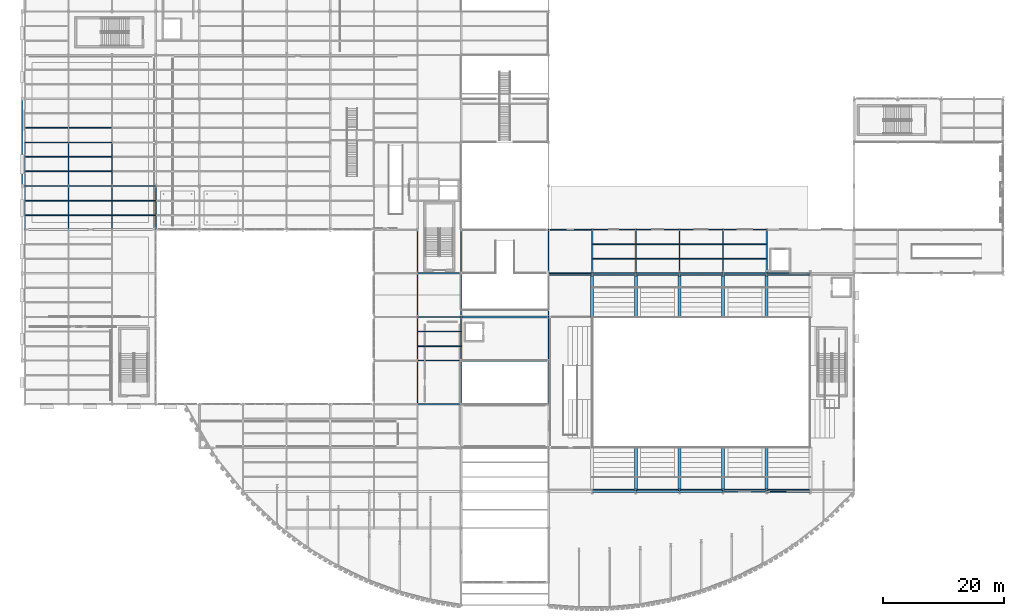
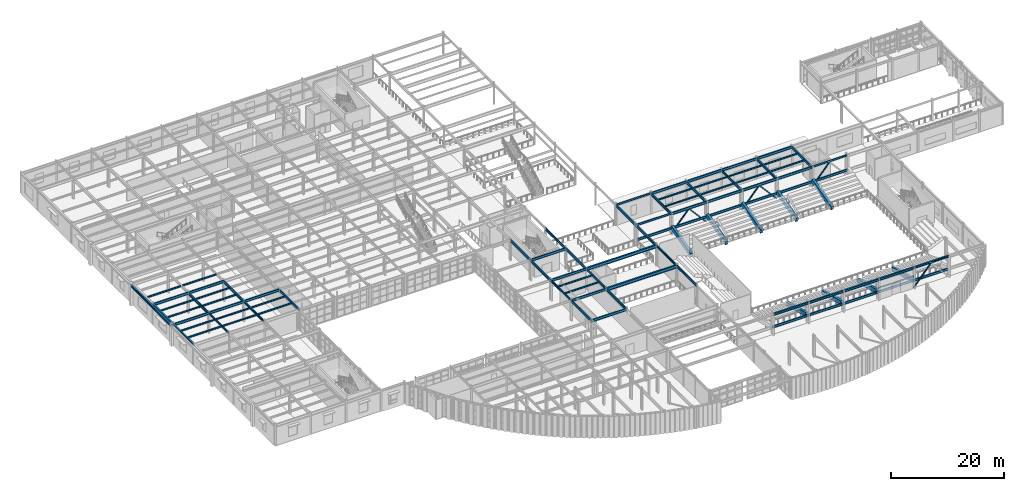
# One storey, part 50 of 121: 95 beams, 6 members.
"""IFC4 building model written with IfcOpenShell, lengths in metres."""

from ifc_helpers import new_model, si_unit, direction, frame, origin, origin_2d, place, context, subcontext, project, spatial, rectangle, hollow_rectangle, i_section, extrude, material, material_profile, profile_set, type_object, element, save


model = new_model("IFC4")

# Units and contexts
model_context = context("Model", 3, precision=1e-05, world=origin(), true_north=direction((0.0, 1.0)))
body_context = subcontext(model_context, "Body", "Model", "MODEL_VIEW")
ifc_project = project(units=[si_unit("LENGTHUNIT", "METRE"), si_unit("AREAUNIT", "SQUARE_METRE"), si_unit("VOLUMEUNIT", "CUBIC_METRE"), si_unit("PLANEANGLEUNIT", "RADIAN"), si_unit("MASSUNIT", "GRAM", prefix="KILO")], contexts=[model_context])

# Site, building, storey
site_placement = place(None, origin())
site = spatial("IfcSite", under=ifc_project, at=site_placement, CompositionType="ELEMENT")
building_placement = place(site_placement, origin())
building = spatial("IfcBuilding", under=site, at=building_placement, Name="Solvadek Multi-Sports Hall", CompositionType="ELEMENT")
storey_placement = place(building_placement, frame((0.0, 0.0, 4.800048828125)))
storey = spatial("IfcBuildingStorey", under=building, at=storey_placement, Name="L01", CompositionType="ELEMENT", Elevation=4.800048828125)

# Beams
ifc_material_1 = material(Name="Steel E350 (350 MPa)", Category="steel")
ifc_material_profile_1 = material_profile(ifc_material_1, i_section(OverallWidth=0.139892578125, OverallDepth=0.39990234375, WebThickness=0.0087890625, FlangeThickness=0.01611328125, at=origin_2d()), Name="ISMB 400")
ifc_profile_set_1 = profile_set([ifc_material_profile_1], Name="Steel E350 (350 MPa)")
beam_type_1 = type_object("IfcBeamType", Name="STR-BM-ISMB400", PredefinedType="BEAM", material=ifc_profile_set_1)
for number, where, z_axis, x_axis, name in (
    (1, (86.39990234375, 42.0, 4.35986328125), (1.0, 0.0, 0.0), (0.0, 1.0, 0.0), "L01 Girder B-10 #994"),
    (2, (122.39990234375, 42.0, 4.35986328125), (1.0, 0.0, 0.0), (0.0, 1.0, 0.0), "L01 Girder B-10 #999"),
    (3, (86.39990234375, 49.199951171875, 4.35986328125), (1.0, 0.0, 0.0), (0.0, 1.0, 0.0), "L01 Girder B-10 #1014"),
):
    element("IfcBeam", number, at=place(storey_placement, frame(where, z_axis=z_axis, x_axis=x_axis)), inside=storey, type_object=beam_type_1, Name=name, PredefinedType="BEAM", context=body_context, shape_type="SweptSolid", body=[
        extrude(i_section(OverallWidth=0.139892578125, OverallDepth=0.39990234375, WebThickness=0.0087890625, FlangeThickness=0.01611328125, at=origin_2d()), origin(), (0.0, 0.0, 1.0), 7.2001953125),
    ])
ifc_material_profile_2 = material_profile(ifc_material_1, i_section(OverallWidth=0.179931640625, OverallDepth=0.5, WebThickness=0.01025390625, FlangeThickness=0.01708984375, at=origin_2d()), Name="ISMB 500")
ifc_profile_set_2 = profile_set([ifc_material_profile_2], Name="Steel E350 (350 MPa)")
beam_type_2 = type_object("IfcBeamType", Name="STR-BM-ISMB500", PredefinedType="BEAM", material=ifc_profile_set_2)
beam_1_placement = place(storey_placement, frame((86.39990234375, 41.699951171875, 1.3798828125), z_axis=(1.0, 0.0, 0.0), x_axis=(0.0, 1.0, 0.0)))
element("IfcBeam", 4, at=beam_1_placement, inside=storey, type_object=beam_type_2, Name="L01 N Stand Raker Header Girder #1", PredefinedType="BEAM", context=body_context, shape_type="SweptSolid", body=[
    extrude(i_section(OverallWidth=0.179931640625, OverallDepth=0.5, WebThickness=0.01025390625, FlangeThickness=0.01708984375, at=origin_2d()), origin(), (0.0, 0.0, 1.0), 7.2001953125),
])
for number, where, z_axis, x_axis, name in (
    (5, (93.60009765625, 6.300048828125, 1.3798828125), (1.0, 0.0, 0.0), (0.0, 1.0, 0.0), "L01 S Stand Raker Header Girder #2"),
    (6, (93.60009765625, 41.699951171875, 1.3798828125), (1.0, 0.0, 0.0), (0.0, 1.0, 0.0), "L01 N Stand Raker Header Girder #2"),
    (7, (100.800048828125, 6.300048828125, 1.3798828125), (1.0, 0.0, 0.0), (0.0, 1.0, 0.0), "L01 S Stand Raker Header Girder #3"),
    (8, (100.800048828125, 41.699951171875, 1.3798828125), (1.0, 0.0, 0.0), (0.0, 1.0, 0.0), "L01 N Stand Raker Header Girder #3"),
    (9, (108.0, 6.300048828125, 1.3798828125), (1.0, 0.0, 0.0), (0.0, 1.0, 0.0), "L01 S Stand Raker Header Girder #4"),
    (10, (108.0, 41.699951171875, 1.3798828125), (1.0, 0.0, 0.0), (0.0, 1.0, 0.0), "L01 N Stand Raker Header Girder #4"),
    (11, (115.199951171875, 6.300048828125, 1.3798828125), (1.0, 0.0, 0.0), (0.0, 1.0, 0.0), "L01 S Stand Raker Header Girder #5"),
    (12, (115.199951171875, 41.699951171875, 1.3798828125), (1.0, 0.0, 0.0), (0.0, 1.0, 0.0), "L01 N Stand Raker Header Girder #5"),
):
    element("IfcBeam", number, at=place(storey_placement, frame(where, z_axis=z_axis, x_axis=x_axis)), inside=storey, type_object=beam_type_2, Name=name, PredefinedType="BEAM", context=body_context, shape_type="SweptSolid", body=[
        extrude(i_section(OverallWidth=0.179931640625, OverallDepth=0.5, WebThickness=0.01025390625, FlangeThickness=0.01708984375, at=origin_2d()), origin(), (0.0, 0.0, 1.0), 7.199951171875),
    ])
for number, where, z_axis, x_axis, name in (
    (13, (122.39990234375, 6.300048828125, 1.3798828125), (1.0, 0.0, 0.0), (0.0, 1.0, 0.0), "L01 S Stand Raker Header Girder #6"),
    (14, (122.39990234375, 41.699951171875, 1.3798828125), (1.0, 0.0, 0.0), (0.0, 1.0, 0.0), "L01 N Stand Raker Header Girder #6"),
):
    element("IfcBeam", number, at=place(storey_placement, frame(where, z_axis=z_axis, x_axis=x_axis)), inside=storey, type_object=beam_type_2, Name=name, PredefinedType="BEAM", context=body_context, shape_type="SweptSolid", body=[
        extrude(i_section(OverallWidth=0.179931640625, OverallDepth=0.5, WebThickness=0.01025390625, FlangeThickness=0.01708984375, at=origin_2d()), origin(), (0.0, 0.0, 1.0), 7.2001953125),
    ])
ifc_material_profile_3 = material_profile(ifc_material_1, i_section(OverallWidth=0.18994140625, OverallDepth=0.550048828125, WebThickness=0.01123046875, FlangeThickness=0.019287109375, at=origin_2d()), Name="ISMB 550")
ifc_profile_set_3 = profile_set([ifc_material_profile_3], Name="Steel E350 (350 MPa)")
beam_type_3 = type_object("IfcBeamType", Name="STR-BM-ISMB550", PredefinedType="BEAM", material=ifc_profile_set_3)
for number, where, z_axis, x_axis, name in (
    (15, (64.800048828125, 20.39990234375, 4.284912109375), (1.0, 0.0, 0.0), (0.0, 1.0, 0.0), "L01 Girder B-06 #977"),
    (16, (64.800048828125, 27.60009765625, 4.284912109375), (1.0, 0.0, 0.0), (0.0, 1.0, 0.0), "L01 Girder B-06 #981"),
    (17, (64.800048828125, 34.800048828125, 4.284912109375), (1.0, 0.0, 0.0), (0.0, 1.0, 0.0), "L01 Girder B-06 #987"),
    (18, (64.800048828125, 42.0, 4.284912109375), (1.0, 0.0, 0.0), (0.0, 1.0, 0.0), "L01 Girder B-06 #993"),
    (19, (93.60009765625, 42.0, 4.284912109375), (1.0, 0.0, 0.0), (0.0, 1.0, 0.0), "L01 Girder B-06 #995"),
    (20, (100.800048828125, 42.0, 4.284912109375), (1.0, 0.0, 0.0), (0.0, 1.0, 0.0), "L01 Girder B-06 #996"),
    (21, (108.0, 42.0, 4.284912109375), (1.0, 0.0, 0.0), (0.0, 1.0, 0.0), "L01 Girder B-06 #997"),
    (22, (115.199951171875, 42.0, 4.284912109375), (1.0, 0.0, 0.0), (0.0, 1.0, 0.0), "L01 Girder B-06 #998"),
    (23, (93.60009765625, 49.199951171875, 4.284912109375), (1.0, 0.0, 0.0), (0.0, 1.0, 0.0), "L01 Girder B-06 #1015"),
    (24, (100.800048828125, 49.199951171875, 4.284912109375), (1.0, 0.0, 0.0), (0.0, 1.0, 0.0), "L01 Girder B-06 #1016"),
    (25, (108.0, 49.199951171875, 4.284912109375), (1.0, 0.0, 0.0), (0.0, 1.0, 0.0), "L01 Girder B-06 #1017"),
    (26, (115.199951171875, 49.199951171875, 4.284912109375), (1.0, 0.0, 0.0), (0.0, 1.0, 0.0), "L01 Girder B-06 #1018"),
    (27, (0.0, 56.39990234375, 4.284912109375), (1.0, 0.0, 0.0), (0.0, 1.0, 0.0), "L01 Girder B-06 #1024"),
    (28, (7.199951171875, 56.39990234375, 4.284912109375), (1.0, 0.0, 0.0), (0.0, 1.0, 0.0), "L01 Girder B-06 #1025"),
):
    element("IfcBeam", number, at=place(storey_placement, frame(where, z_axis=z_axis, x_axis=x_axis)), inside=storey, type_object=beam_type_3, Name=name, PredefinedType="BEAM", context=body_context, shape_type="SweptSolid", body=[
        extrude(i_section(OverallWidth=0.18994140625, OverallDepth=0.550048828125, WebThickness=0.01123046875, FlangeThickness=0.019287109375, at=origin_2d()), origin(), (0.0, 0.0, 1.0), 7.199951171875),
    ])
beam_2_placement = place(storey_placement, frame((14.39990234375, 56.39990234375, 4.284912109375), z_axis=(1.0, 0.0, 0.0), x_axis=(0.0, 1.0, 0.0)))
element("IfcBeam", 29, at=beam_2_placement, inside=storey, type_object=beam_type_3, Name="L01 Girder B-06 #1026", PredefinedType="BEAM", context=body_context, shape_type="SweptSolid", body=[
    extrude(i_section(OverallWidth=0.18994140625, OverallDepth=0.550048828125, WebThickness=0.01123046875, FlangeThickness=0.019287109375, at=origin_2d()), origin(), (0.0, 0.0, 1.0), 7.2001953125),
])
for number, where, z_axis, x_axis, name in (
    (30, (0.0, 63.60009765625, 4.284912109375), (1.0, 0.0, 0.0), (0.0, 1.0, 0.0), "L01 Girder B-06 #1033"),
    (31, (7.199951171875, 63.60009765625, 4.284912109375), (1.0, 0.0, 0.0), (0.0, 1.0, 0.0), "L01 Girder B-06 #1034"),
):
    element("IfcBeam", number, at=place(storey_placement, frame(where, z_axis=z_axis, x_axis=x_axis)), inside=storey, type_object=beam_type_3, Name=name, PredefinedType="BEAM", context=body_context, shape_type="SweptSolid", body=[
        extrude(i_section(OverallWidth=0.18994140625, OverallDepth=0.550048828125, WebThickness=0.01123046875, FlangeThickness=0.019287109375, at=origin_2d()), origin(), (0.0, 0.0, 1.0), 7.199951171875),
    ])
ifc_material_profile_4 = material_profile(ifc_material_1, i_section(OverallWidth=0.18994140625, OverallDepth=0.449951171875, WebThickness=0.009521484375, FlangeThickness=0.0146484375, at=origin_2d()), Name="NPB 450")
ifc_profile_set_4 = profile_set([ifc_material_profile_4], Name="Steel E350 (350 MPa)")
beam_type_4 = type_object("IfcBeamType", Name="STR-BM-NPB450", PredefinedType="BEAM", material=ifc_profile_set_4)
for number, where, z_axis, x_axis, name in (
    (32, (7.199951171875, 49.199951171875, 4.3349609375), (0.0, 1.0, 0.0), (-1.0, 0.0, 0.0), "L01 Girder B-08 #1132"),
    (33, (14.39990234375, 49.199951171875, 4.3349609375), (0.0, 1.0, 0.0), (-1.0, 0.0, 0.0), "L01 Girder B-08 #1144"),
    (34, (21.60009765625, 49.199951171875, 4.3349609375), (0.0, 1.0, 0.0), (-1.0, 0.0, 0.0), "L01 Girder B-08 #1155"),
    (35, (64.800048828125, 27.60009765625, 4.3349609375), (0.0, 1.0, 0.0), (-1.0, 0.0, 0.0), "L01 Girder B-08 #1231"),
    (36, (72.0, 27.60009765625, 4.3349609375), (0.0, 1.0, 0.0), (-1.0, 0.0, 0.0), "L01 Girder B-08 #1251"),
    (37, (86.39990234375, 27.60009765625, 4.3349609375), (0.0, 1.0, 0.0), (-1.0, 0.0, 0.0), "L01 Girder B-08 #1269"),
):
    element("IfcBeam", number, at=place(storey_placement, frame(where, z_axis=z_axis, x_axis=x_axis)), inside=storey, type_object=beam_type_4, Name=name, PredefinedType="BEAM", context=body_context, shape_type="SweptSolid", body=[
        extrude(i_section(OverallWidth=0.18994140625, OverallDepth=0.449951171875, WebThickness=0.009521484375, FlangeThickness=0.0146484375, at=origin_2d()), origin(), (0.0, 0.0, 1.0), 7.199951171875),
    ])
ifc_material_profile_5 = material_profile(ifc_material_1, i_section(OverallWidth=0.2099609375, OverallDepth=0.550048828125, WebThickness=0.010986328125, FlangeThickness=0.01708984375, at=origin_2d()), Name="NPB 550")
ifc_profile_set_5 = profile_set([ifc_material_profile_5], Name="Steel E350 (350 MPa)")
beam_type_5 = type_object("IfcBeamType", Name="STR-BM-NPB550", PredefinedType="BEAM", material=ifc_profile_set_5)
for number, where, z_axis, x_axis, name in (
    (38, (7.199951171875, 56.39990234375, 4.284912109375), (0.0, 1.0, 0.0), (-1.0, 0.0, 0.0), "L01 Girder B-05 #1133"),
    (39, (14.39990234375, 56.39990234375, 4.284912109375), (0.0, 1.0, 0.0), (-1.0, 0.0, 0.0), "L01 Girder B-05 #1145"),
    (40, (64.800048828125, 20.39990234375, 4.284912109375), (0.0, 1.0, 0.0), (-1.0, 0.0, 0.0), "L01 Girder B-05 #1230"),
):
    element("IfcBeam", number, at=place(storey_placement, frame(where, z_axis=z_axis, x_axis=x_axis)), inside=storey, type_object=beam_type_5, Name=name, PredefinedType="BEAM", context=body_context, shape_type="SweptSolid", body=[
        extrude(i_section(OverallWidth=0.2099609375, OverallDepth=0.550048828125, WebThickness=0.010986328125, FlangeThickness=0.01708984375, at=origin_2d()), origin(), (0.0, 0.0, 1.0), 7.2001953125),
    ])
for number, where, z_axis, x_axis, name in (
    (41, (64.800048828125, 34.800048828125, 4.284912109375), (0.0, 1.0, 0.0), (-1.0, 0.0, 0.0), "L01 Girder B-05 #1232"),
    (42, (64.800048828125, 42.0, 4.284912109375), (0.0, 1.0, 0.0), (-1.0, 0.0, 0.0), "L01 Girder B-05 #1233"),
):
    element("IfcBeam", number, at=place(storey_placement, frame(where, z_axis=z_axis, x_axis=x_axis)), inside=storey, type_object=beam_type_5, Name=name, PredefinedType="BEAM", context=body_context, shape_type="SweptSolid", body=[
        extrude(i_section(OverallWidth=0.2099609375, OverallDepth=0.550048828125, WebThickness=0.010986328125, FlangeThickness=0.01708984375, at=origin_2d()), origin(), (0.0, 0.0, 1.0), 7.199951171875),
    ])
beam_3_placement = place(storey_placement, frame((72.0, 20.39990234375, 4.284912109375), z_axis=(0.0, 1.0, 0.0), x_axis=(-1.0, 0.0, 0.0)))
element("IfcBeam", 43, at=beam_3_placement, inside=storey, type_object=beam_type_5, Name="L01 Girder B-05 #1250", PredefinedType="BEAM", context=body_context, shape_type="SweptSolid", body=[
    extrude(i_section(OverallWidth=0.2099609375, OverallDepth=0.550048828125, WebThickness=0.010986328125, FlangeThickness=0.01708984375, at=origin_2d()), origin(), (0.0, 0.0, 1.0), 7.2001953125),
])
for number, where, z_axis, x_axis, name in (
    (44, (72.0, 34.800048828125, 4.284912109375), (0.0, 1.0, 0.0), (-1.0, 0.0, 0.0), "L01 Girder B-05 #1252"),
    (45, (72.0, 42.0, 4.284912109375), (0.0, 1.0, 0.0), (-1.0, 0.0, 0.0), "L01 Girder B-05 #1253"),
):
    element("IfcBeam", number, at=place(storey_placement, frame(where, z_axis=z_axis, x_axis=x_axis)), inside=storey, type_object=beam_type_5, Name=name, PredefinedType="BEAM", context=body_context, shape_type="SweptSolid", body=[
        extrude(i_section(OverallWidth=0.2099609375, OverallDepth=0.550048828125, WebThickness=0.010986328125, FlangeThickness=0.01708984375, at=origin_2d()), origin(), (0.0, 0.0, 1.0), 7.199951171875),
    ])
beam_4_placement = place(storey_placement, frame((86.39990234375, 20.39990234375, 4.284912109375), z_axis=(0.0, 1.0, 0.0), x_axis=(-1.0, 0.0, 0.0)))
element("IfcBeam", 46, at=beam_4_placement, inside=storey, type_object=beam_type_5, Name="L01 Girder B-05 #1268", PredefinedType="BEAM", context=body_context, shape_type="SweptSolid", body=[
    extrude(i_section(OverallWidth=0.2099609375, OverallDepth=0.550048828125, WebThickness=0.010986328125, FlangeThickness=0.01708984375, at=origin_2d()), origin(), (0.0, 0.0, 1.0), 7.2001953125),
])
for number, where, z_axis, x_axis, name in (
    (47, (86.39990234375, 34.800048828125, 4.284912109375), (0.0, 1.0, 0.0), (-1.0, 0.0, 0.0), "L01 Girder B-05 #1270"),
    (48, (86.39990234375, 42.0, 4.284912109375), (0.0, 1.0, 0.0), (-1.0, 0.0, 0.0), "L01 Girder B-05 #1271"),
    (49, (93.60009765625, 42.0, 4.284912109375), (0.0, 1.0, 0.0), (-1.0, 0.0, 0.0), "L01 Girder B-05 #1281"),
    (50, (100.800048828125, 42.0, 4.284912109375), (0.0, 1.0, 0.0), (-1.0, 0.0, 0.0), "L01 Girder B-05 #1283"),
    (51, (108.0, 42.0, 4.284912109375), (0.0, 1.0, 0.0), (-1.0, 0.0, 0.0), "L01 Girder B-05 #1286"),
    (52, (115.199951171875, 42.0, 4.284912109375), (0.0, 1.0, 0.0), (-1.0, 0.0, 0.0), "L01 Girder B-05 #1288"),
    (53, (122.39990234375, 42.0, 4.284912109375), (0.0, 1.0, 0.0), (-1.0, 0.0, 0.0), "L01 Girder B-05 #1291"),
):
    element("IfcBeam", number, at=place(storey_placement, frame(where, z_axis=z_axis, x_axis=x_axis)), inside=storey, type_object=beam_type_5, Name=name, PredefinedType="BEAM", context=body_context, shape_type="SweptSolid", body=[
        extrude(i_section(OverallWidth=0.2099609375, OverallDepth=0.550048828125, WebThickness=0.010986328125, FlangeThickness=0.01708984375, at=origin_2d()), origin(), (0.0, 0.0, 1.0), 7.199951171875),
    ])
ifc_material_profile_6 = material_profile(ifc_material_1, i_section(OverallWidth=0.300048828125, OverallDepth=0.699951171875, WebThickness=0.01708984375, FlangeThickness=0.031982421875, at=origin_2d()), Name="WPB 700")
ifc_profile_set_6 = profile_set([ifc_material_profile_6], Name="Steel E350 (350 MPa)")
beam_type_6 = type_object("IfcBeamType", Name="STR-BM-WPB700", PredefinedType="BEAM", material=ifc_profile_set_6)
for number, where, z_axis, x_axis, name in (
    (54, (72.0, 27.60009765625, 4.2099609375), (1.0, 0.0, 0.0), (0.0, 1.0, 0.0), "L01 Girder B-01 #982"),
    (55, (72.0, 34.800048828125, 4.2099609375), (1.0, 0.0, 0.0), (0.0, 1.0, 0.0), "L01 Girder B-01 #988"),
):
    element("IfcBeam", number, at=place(storey_placement, frame(where, z_axis=z_axis, x_axis=x_axis)), inside=storey, type_object=beam_type_6, Name=name, PredefinedType="BEAM", context=body_context, shape_type="SweptSolid", body=[
        extrude(i_section(OverallWidth=0.300048828125, OverallDepth=0.699951171875, WebThickness=0.01708984375, FlangeThickness=0.031982421875, at=origin_2d()), origin(), (0.0, 0.0, 1.0), 14.39990234375),
    ])

# Members
ifc_material_profile_7 = material_profile(ifc_material_1, hollow_rectangle(XDim=0.199951171875, YDim=0.199951171875, WallThickness=0.010009765625, at=origin_2d()), Name="SHS 200x200x10")
ifc_profile_set_7 = profile_set([ifc_material_profile_7], Name="Steel E350 (350 MPa)")
member_type = type_object("IfcMemberType", Name="STR-BRC-SHS200", PredefinedType="BRACE", material=ifc_profile_set_7)
member_1_placement = place(storey_placement, frame((108.0, 42.0, 0.0), z_axis=(0.655295898412, 0.0, 0.755372282735), x_axis=(0.0, 1.0, 0.0)))
element("IfcMember", 56, at=member_1_placement, inside=storey, type_object=member_type, Name="L01 Concentric Chevron Brace #27", PredefinedType="BRACE", context=body_context, shape_type="SweptSolid", body=[
    extrude(hollow_rectangle(XDim=0.199951171875, YDim=0.199951171875, WallThickness=0.010009765625, at=origin_2d()), origin(), (0.0, 0.0, 1.0), 5.493896484375),
])
member_2_placement = place(storey_placement, frame((115.199951171875, 42.0, 0.0), z_axis=(-0.655270541038, 0.0, 0.755394279862), x_axis=(0.0, -1.0, 0.0)))
element("IfcMember", 57, at=member_2_placement, inside=storey, type_object=member_type, Name="L01 Concentric Chevron Brace #28", PredefinedType="BRACE", context=body_context, shape_type="SweptSolid", body=[
    extrude(hollow_rectangle(XDim=0.199951171875, YDim=0.199951171875, WallThickness=0.010009765625, at=origin_2d()), origin(), (0.0, 0.0, 1.0), 5.49365234375),
])
member_3_placement = place(storey_placement, frame((122.39990234375, 6.0, 0.0), z_axis=(0.655295898412, 0.0, 0.755372282735), x_axis=(0.0, 1.0, 0.0)))
element("IfcMember", 58, at=member_3_placement, inside=storey, type_object=member_type, Name="L01 Concentric Chevron Brace #29", PredefinedType="BRACE", context=body_context, shape_type="SweptSolid", body=[
    extrude(hollow_rectangle(XDim=0.199951171875, YDim=0.199951171875, WallThickness=0.010009765625, at=origin_2d()), origin(), (0.0, 0.0, 1.0), 5.493896484375),
])
member_4_placement = place(storey_placement, frame((93.60009765625, 42.0, 0.0), z_axis=(0.655270541038, 0.0, 0.755394279862), x_axis=(0.0, 1.0, 0.0)))
element("IfcMember", 59, at=member_4_placement, inside=storey, type_object=member_type, Name="L01 Concentric Chevron Brace #31", PredefinedType="BRACE", context=body_context, shape_type="SweptSolid", body=[
    extrude(hollow_rectangle(XDim=0.199951171875, YDim=0.199951171875, WallThickness=0.010009765625, at=origin_2d()), origin(), (0.0, 0.0, 1.0), 5.49365234375),
])
for number, where, z_axis, x_axis, name in (
    (60, (100.800048828125, 42.0, 0.0), (-0.655295898412, 0.0, 0.755372282735), (0.0, -1.0, 0.0), "L01 Concentric Chevron Brace #32"),
    (61, (122.39990234375, 42.0, 0.0), (0.655295898412, 0.0, 0.755372282735), (0.0, 1.0, 0.0), "L01 Concentric Chevron Brace #33"),
):
    element("IfcMember", number, at=place(storey_placement, frame(where, z_axis=z_axis, x_axis=x_axis)), inside=storey, type_object=member_type, Name=name, PredefinedType="BRACE", context=body_context, shape_type="SweptSolid", body=[
        extrude(hollow_rectangle(XDim=0.199951171875, YDim=0.199951171875, WallThickness=0.010009765625, at=origin_2d()), origin(), (0.0, 0.0, 1.0), 5.493896484375),
    ])

# Beams
ifc_material_profile_8 = material_profile(ifc_material_1, i_section(OverallWidth=0.159912109375, OverallDepth=0.330078125, WebThickness=0.007568359375, FlangeThickness=0.011474609375, at=origin_2d()), Name="NPB 330")
ifc_profile_set_8 = profile_set([ifc_material_profile_8], Name="Steel E350 (350 MPa)")
beam_type_7 = type_object("IfcBeamType", Name="STR-JST-NPB330", PredefinedType="JOIST", material=ifc_profile_set_8)
for number, where, z_axis, x_axis, name in (
    (62, (64.89501953125, 30.0, 4.39501953125), (1.0, 0.0, 0.0), (0.0, 1.0, 0.0), "L01 Composite Joist J-02 #612"),
    (63, (64.89501953125, 32.39990234375, 4.39501953125), (1.0, 0.0, 0.0), (0.0, 1.0, 0.0), "L01 Composite Joist J-02 #613"),
):
    element("IfcBeam", number, at=place(storey_placement, frame(where, z_axis=z_axis, x_axis=x_axis)), inside=storey, type_object=beam_type_7, Name=name, PredefinedType="JOIST", context=body_context, shape_type="SweptSolid", body=[
        extrude(i_section(OverallWidth=0.159912109375, OverallDepth=0.330078125, WebThickness=0.007568359375, FlangeThickness=0.011474609375, at=origin_2d()), origin(), (0.0, 0.0, 1.0), 7.010009765625),
    ])
for number, where, z_axis, x_axis, name in (
    (64, (93.705078125, 44.39990234375, 4.39501953125), (1.0, 0.0, 0.0), (0.0, 1.0, 0.0), "L01 Composite Joist J-02 #622"),
    (65, (93.705078125, 46.800048828125, 4.39501953125), (1.0, 0.0, 0.0), (0.0, 1.0, 0.0), "L01 Composite Joist J-02 #623"),
    (66, (100.905029296875, 44.39990234375, 4.39501953125), (1.0, 0.0, 0.0), (0.0, 1.0, 0.0), "L01 Composite Joist J-02 #624"),
    (67, (100.905029296875, 46.800048828125, 4.39501953125), (1.0, 0.0, 0.0), (0.0, 1.0, 0.0), "L01 Composite Joist J-02 #625"),
    (68, (108.10498046875, 44.39990234375, 4.39501953125), (1.0, 0.0, 0.0), (0.0, 1.0, 0.0), "L01 Composite Joist J-02 #626"),
    (69, (108.10498046875, 46.800048828125, 4.39501953125), (1.0, 0.0, 0.0), (0.0, 1.0, 0.0), "L01 Composite Joist J-02 #627"),
    (70, (115.304931640625, 44.39990234375, 4.39501953125), (1.0, 0.0, 0.0), (0.0, 1.0, 0.0), "L01 Composite Joist J-02 #628"),
    (71, (115.304931640625, 46.800048828125, 4.39501953125), (1.0, 0.0, 0.0), (0.0, 1.0, 0.0), "L01 Composite Joist J-02 #629"),
):
    element("IfcBeam", number, at=place(storey_placement, frame(where, z_axis=z_axis, x_axis=x_axis)), inside=storey, type_object=beam_type_7, Name=name, PredefinedType="JOIST", context=body_context, shape_type="SweptSolid", body=[
        extrude(i_section(OverallWidth=0.159912109375, OverallDepth=0.330078125, WebThickness=0.007568359375, FlangeThickness=0.011474609375, at=origin_2d()), origin(), (0.0, 0.0, 1.0), 6.989990234375),
    ])
for number, where, z_axis, x_axis, name in (
    (72, (0.14990234375, 51.60009765625, 4.39501953125), (1.0, 0.0, 0.0), (0.0, 1.0, 0.0), "L01 Composite Joist J-02 #632"),
    (73, (0.14990234375, 54.0, 4.39501953125), (1.0, 0.0, 0.0), (0.0, 1.0, 0.0), "L01 Composite Joist J-02 #633"),
):
    element("IfcBeam", number, at=place(storey_placement, frame(where, z_axis=z_axis, x_axis=x_axis)), inside=storey, type_object=beam_type_7, Name=name, PredefinedType="JOIST", context=body_context, shape_type="SweptSolid", body=[
        extrude(i_section(OverallWidth=0.159912109375, OverallDepth=0.330078125, WebThickness=0.007568359375, FlangeThickness=0.011474609375, at=origin_2d()), origin(), (0.0, 0.0, 1.0), 6.955078125),
    ])
for number, where, z_axis, x_axis, name in (
    (74, (7.294921875, 51.60009765625, 4.39501953125), (1.0, 0.0, 0.0), (0.0, 1.0, 0.0), "L01 Composite Joist J-02 #634"),
    (75, (7.294921875, 54.0, 4.39501953125), (1.0, 0.0, 0.0), (0.0, 1.0, 0.0), "L01 Composite Joist J-02 #635"),
):
    element("IfcBeam", number, at=place(storey_placement, frame(where, z_axis=z_axis, x_axis=x_axis)), inside=storey, type_object=beam_type_7, Name=name, PredefinedType="JOIST", context=body_context, shape_type="SweptSolid", body=[
        extrude(i_section(OverallWidth=0.159912109375, OverallDepth=0.330078125, WebThickness=0.007568359375, FlangeThickness=0.011474609375, at=origin_2d()), origin(), (0.0, 0.0, 1.0), 7.010009765625),
    ])
for number, where, z_axis, x_axis, name in (
    (76, (14.4951171875, 51.60009765625, 4.39501953125), (1.0, 0.0, 0.0), (0.0, 1.0, 0.0), "L01 Composite Joist J-02 #636"),
    (77, (14.4951171875, 54.0, 4.39501953125), (1.0, 0.0, 0.0), (0.0, 1.0, 0.0), "L01 Composite Joist J-02 #637"),
):
    element("IfcBeam", number, at=place(storey_placement, frame(where, z_axis=z_axis, x_axis=x_axis)), inside=storey, type_object=beam_type_7, Name=name, PredefinedType="JOIST", context=body_context, shape_type="SweptSolid", body=[
        extrude(i_section(OverallWidth=0.159912109375, OverallDepth=0.330078125, WebThickness=0.007568359375, FlangeThickness=0.011474609375, at=origin_2d()), origin(), (0.0, 0.0, 1.0), 7.009765625),
    ])
for number, where, z_axis, x_axis, name in (
    (78, (0.14990234375, 58.800048828125, 4.39501953125), (1.0, 0.0, 0.0), (0.0, 1.0, 0.0), "L01 Composite Joist J-02 #648"),
    (79, (0.14990234375, 61.199951171875, 4.39501953125), (1.0, 0.0, 0.0), (0.0, 1.0, 0.0), "L01 Composite Joist J-02 #649"),
):
    element("IfcBeam", number, at=place(storey_placement, frame(where, z_axis=z_axis, x_axis=x_axis)), inside=storey, type_object=beam_type_7, Name=name, PredefinedType="JOIST", context=body_context, shape_type="SweptSolid", body=[
        extrude(i_section(OverallWidth=0.159912109375, OverallDepth=0.330078125, WebThickness=0.007568359375, FlangeThickness=0.011474609375, at=origin_2d()), origin(), (0.0, 0.0, 1.0), 6.945068359375),
    ])
for number, where, z_axis, x_axis, name in (
    (80, (7.304931640625, 58.800048828125, 4.39501953125), (1.0, 0.0, 0.0), (0.0, 1.0, 0.0), "L01 Composite Joist J-02 #650"),
    (81, (7.304931640625, 61.199951171875, 4.39501953125), (1.0, 0.0, 0.0), (0.0, 1.0, 0.0), "L01 Composite Joist J-02 #651"),
):
    element("IfcBeam", number, at=place(storey_placement, frame(where, z_axis=z_axis, x_axis=x_axis)), inside=storey, type_object=beam_type_7, Name=name, PredefinedType="JOIST", context=body_context, shape_type="SweptSolid", body=[
        extrude(i_section(OverallWidth=0.159912109375, OverallDepth=0.330078125, WebThickness=0.007568359375, FlangeThickness=0.011474609375, at=origin_2d()), origin(), (0.0, 0.0, 1.0), 6.989990234375),
    ])
beam_5_placement = place(storey_placement, frame((0.14990234375, 66.0, 4.39501953125), z_axis=(1.0, 0.0, 0.0), x_axis=(0.0, 1.0, 0.0)))
element("IfcBeam", 82, at=beam_5_placement, inside=storey, type_object=beam_type_7, Name="L01 Composite Joist J-02 #662", PredefinedType="JOIST", context=body_context, shape_type="SweptSolid", body=[
    extrude(i_section(OverallWidth=0.159912109375, OverallDepth=0.330078125, WebThickness=0.007568359375, FlangeThickness=0.011474609375, at=origin_2d()), origin(), (0.0, 0.0, 1.0), 6.955078125),
])
beam_6_placement = place(storey_placement, frame((7.294921875, 66.0, 4.39501953125), z_axis=(1.0, 0.0, 0.0), x_axis=(0.0, 1.0, 0.0)))
element("IfcBeam", 83, at=beam_6_placement, inside=storey, type_object=beam_type_7, Name="L01 Composite Joist J-02 #664", PredefinedType="JOIST", context=body_context, shape_type="SweptSolid", body=[
    extrude(i_section(OverallWidth=0.159912109375, OverallDepth=0.330078125, WebThickness=0.007568359375, FlangeThickness=0.011474609375, at=origin_2d()), origin(), (0.0, 0.0, 1.0), 7.010009765625),
])
ifc_material_2 = material(Name="Steel E250 (250 MPa)", Category="steel")
ifc_material_profile_9 = material_profile(ifc_material_2, i_section(OverallWidth=0.10009765625, OverallDepth=0.199951171875, WebThickness=0.005615234375, FlangeThickness=0.0107421875, at=origin_2d()), Name="ISMB 200")
ifc_profile_set_9 = profile_set([ifc_material_profile_9], Name="Steel E250 (250 MPa)")
beam_type_8 = type_object("IfcBeamType", Name="STR-LIN-ISMB200", PredefinedType="LINTEL", material=ifc_profile_set_9)
beam_7_placement = place(storey_placement, frame((115.199951171875, 6.0, 2.52001953125), z_axis=(1.0, 0.0, 0.0), x_axis=(0.0, 1.0, 0.0)))
element("IfcBeam", 84, at=beam_7_placement, inside=storey, type_object=beam_type_8, Name="L01 Opening Lintel #23", PredefinedType="LINTEL", context=body_context, shape_type="SweptSolid", body=[
    extrude(i_section(OverallWidth=0.10009765625, OverallDepth=0.199951171875, WebThickness=0.005615234375, FlangeThickness=0.0107421875, at=origin_2d()), origin(), (0.0, 0.0, 1.0), 7.199951171875),
])
ifc_material_3 = material(Name="Concrete M40", Category="concrete")
ifc_material_profile_10 = material_profile(ifc_material_3, rectangle(XDim=0.5, YDim=0.85009765625, at=origin_2d()), Name="RC RAKER 500x850")
ifc_profile_set_10 = profile_set([ifc_material_profile_10], Name="Concrete M40")
beam_type_9 = type_object("IfcBeamType", Name="STR-RAK-RC500", PredefinedType="USERDEFINED", material=ifc_profile_set_10)
for number, where, z_axis, x_axis, name in (
    (85, (93.60009765625, 34.800048828125, -0.219970703125), (0.0, 0.965185787427, 0.26156528009), (-1.0, 0.0, 0.0), "North Stand Raker Beam #2"),
    (86, (100.800048828125, 13.199951171875, -0.219970703125), (0.0, -0.965185787427, 0.26156528009), (1.0, 0.0, 0.0), "South Stand Raker Beam #3"),
    (87, (100.800048828125, 34.800048828125, -0.219970703125), (0.0, 0.965185787427, 0.26156528009), (-1.0, 0.0, 0.0), "North Stand Raker Beam #4"),
    (88, (108.0, 13.199951171875, -0.219970703125), (0.0, -0.965185787427, 0.26156528009), (1.0, 0.0, 0.0), "South Stand Raker Beam #5"),
    (89, (108.0, 34.800048828125, -0.219970703125), (0.0, 0.965185787427, 0.26156528009), (-1.0, 0.0, 0.0), "North Stand Raker Beam #6"),
    (90, (115.199951171875, 13.199951171875, -0.219970703125), (0.0, -0.965185787427, 0.26156528009), (1.0, 0.0, 0.0), "South Stand Raker Beam #7"),
    (91, (115.199951171875, 34.800048828125, -0.219970703125), (0.0, 0.965185787427, 0.26156528009), (-1.0, 0.0, 0.0), "North Stand Raker Beam #8"),
    (92, (122.39990234375, 13.199951171875, -0.219970703125), (0.0, -0.965185787427, 0.26156528009), (1.0, 0.0, 0.0), "South Stand Raker Beam #9"),
    (93, (122.39990234375, 34.800048828125, -0.219970703125), (0.0, 0.965185787427, 0.26156528009), (-1.0, 0.0, 0.0), "North Stand Raker Beam #10"),
):
    element("IfcBeam", number, at=place(storey_placement, frame(where, z_axis=z_axis, x_axis=x_axis)), inside=storey, type_object=beam_type_9, Name=name, ObjectType="RAKER BEAM", PredefinedType="USERDEFINED", context=body_context, shape_type="SweptSolid", body=[
        extrude(rectangle(XDim=0.5, YDim=0.85009765625, at=origin_2d()), origin(), (0.0, 0.0, 1.0), 7.148681640625),
    ])
ifc_material_profile_11 = material_profile(ifc_material_1, i_section(OverallWidth=0.300048828125, OverallDepth=0.39990234375, WebThickness=0.013427734375, FlangeThickness=0.02392578125, at=origin_2d()), Name="WPB 400")
ifc_profile_set_11 = profile_set([ifc_material_profile_11], Name="Steel E350 (350 MPa)")
beam_type_10 = type_object("IfcBeamType", Name="STR-SPN-WPB400", PredefinedType="SPANDREL", material=ifc_profile_set_11)
beam_8_placement = place(storey_placement, frame((122.39990234375, 6.0, 4.35986328125), z_axis=(1.0, 0.0, 0.0), x_axis=(0.0, 1.0, 0.0)))
element("IfcBeam", 94, at=beam_8_placement, inside=storey, type_object=beam_type_10, Name="L01 Girder SP-02 #961", PredefinedType="SPANDREL", context=body_context, shape_type="SweptSolid", body=[
    extrude(i_section(OverallWidth=0.300048828125, OverallDepth=0.39990234375, WebThickness=0.013427734375, FlangeThickness=0.02392578125, at=origin_2d()), origin(), (0.0, 0.0, 1.0), 7.2001953125),
])
beam_9_placement = place(storey_placement, frame((0.0, 49.199951171875, 4.35986328125), z_axis=(0.0, 1.0, 0.0), x_axis=(-1.0, 0.0, 0.0)))
element("IfcBeam", 95, at=beam_9_placement, inside=storey, type_object=beam_type_10, Name="L01 Girder SP-02 #1120", PredefinedType="SPANDREL", context=body_context, shape_type="SweptSolid", body=[
    extrude(i_section(OverallWidth=0.300048828125, OverallDepth=0.39990234375, WebThickness=0.013427734375, FlangeThickness=0.02392578125, at=origin_2d()), origin(), (0.0, 0.0, 1.0), 7.199951171875),
])
ifc_material_profile_12 = material_profile(ifc_material_1, i_section(OverallWidth=0.300048828125, OverallDepth=0.5, WebThickness=0.014404296875, FlangeThickness=0.028076171875, at=origin_2d()), Name="WPB 500")
ifc_profile_set_12 = profile_set([ifc_material_profile_12], Name="Steel E350 (350 MPa)")
beam_type_11 = type_object("IfcBeamType", Name="STR-SPN-WPB500", PredefinedType="SPANDREL", material=ifc_profile_set_12)
for number, where, z_axis, x_axis, name in (
    (96, (93.60009765625, 6.0, 4.31005859375), (1.0, 0.0, 0.0), (0.0, 1.0, 0.0), "L01 Girder SP-01 #957"),
    (97, (100.800048828125, 6.0, 4.31005859375), (1.0, 0.0, 0.0), (0.0, 1.0, 0.0), "L01 Girder SP-01 #958"),
    (98, (108.0, 6.0, 4.31005859375), (1.0, 0.0, 0.0), (0.0, 1.0, 0.0), "L01 Girder SP-01 #959"),
    (99, (115.199951171875, 6.0, 4.31005859375), (1.0, 0.0, 0.0), (0.0, 1.0, 0.0), "L01 Girder SP-01 #960"),
):
    element("IfcBeam", number, at=place(storey_placement, frame(where, z_axis=z_axis, x_axis=x_axis)), inside=storey, type_object=beam_type_11, Name=name, PredefinedType="SPANDREL", context=body_context, shape_type="SweptSolid", body=[
        extrude(i_section(OverallWidth=0.300048828125, OverallDepth=0.5, WebThickness=0.014404296875, FlangeThickness=0.028076171875, at=origin_2d()), origin(), (0.0, 0.0, 1.0), 7.199951171875),
    ])
beam_10_placement = place(storey_placement, frame((-0.419921875, 56.39990234375, 4.31005859375), z_axis=(0.0, 1.0, 0.0), x_axis=(-1.0, 0.0, 0.0)))
element("IfcBeam", 100, at=beam_10_placement, inside=storey, type_object=beam_type_11, Name="L01 Girder SP-01 #1114", PredefinedType="SPANDREL", context=body_context, shape_type="SweptSolid", body=[
    extrude(i_section(OverallWidth=0.300048828125, OverallDepth=0.5, WebThickness=0.014404296875, FlangeThickness=0.028076171875, at=origin_2d()), origin(), (0.0, 0.0, 1.0), 14.400146484375),
])
beam_11_placement = place(storey_placement, frame((0.0, 56.39990234375, 4.31005859375), z_axis=(0.0, 1.0, 0.0), x_axis=(-1.0, 0.0, 0.0)))
element("IfcBeam", 101, at=beam_11_placement, inside=storey, type_object=beam_type_11, Name="L01 Girder SP-01 #1121", PredefinedType="SPANDREL", context=body_context, shape_type="SweptSolid", body=[
    extrude(i_section(OverallWidth=0.300048828125, OverallDepth=0.5, WebThickness=0.014404296875, FlangeThickness=0.028076171875, at=origin_2d()), origin(), (0.0, 0.0, 1.0), 7.2001953125),
])

save(model, "model.ifc")
